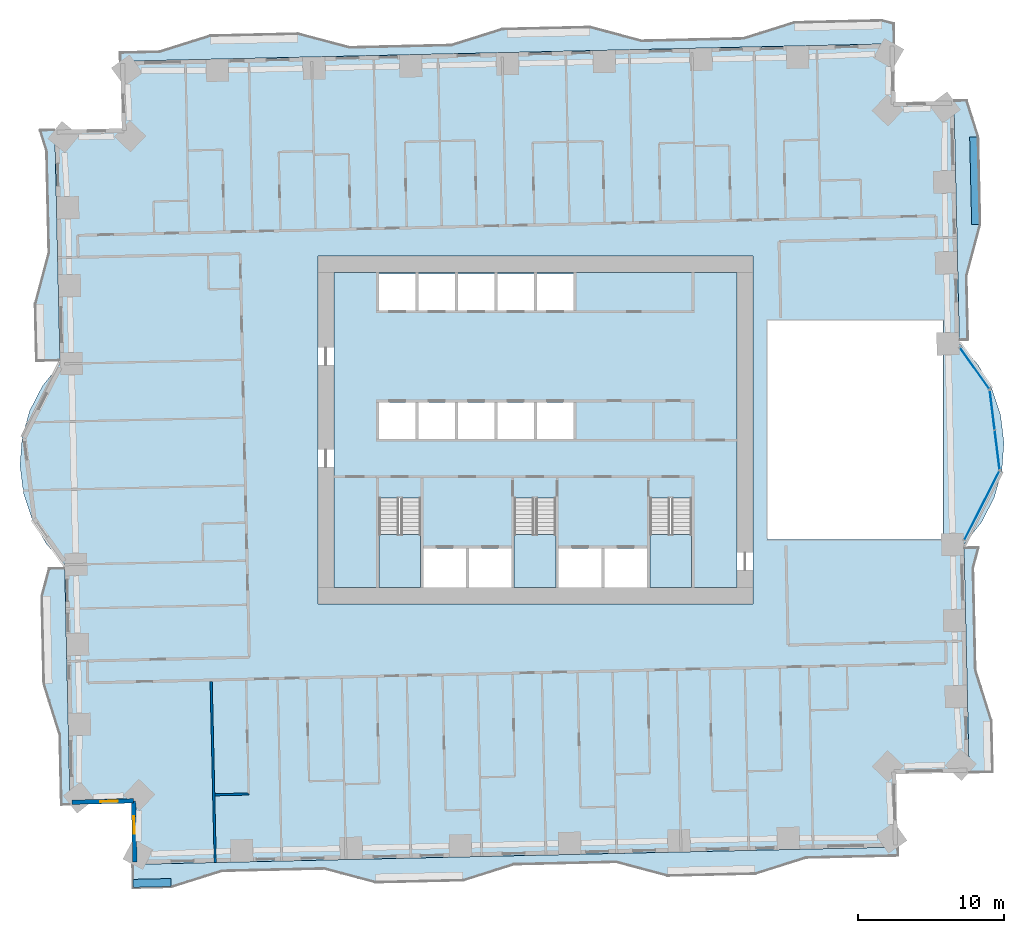
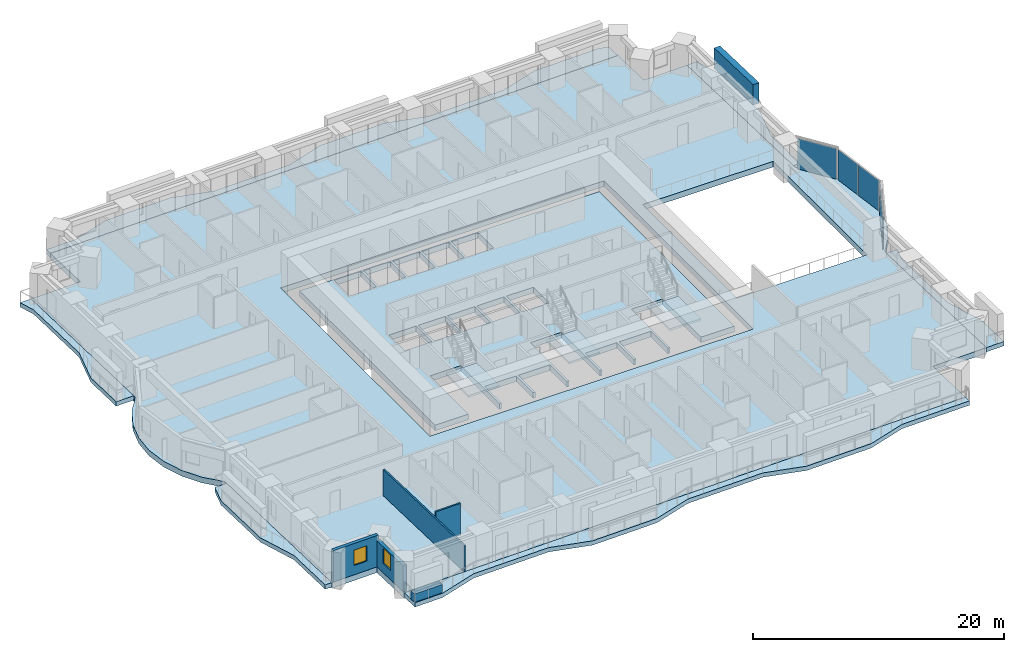
# One storey, part 4 of 16: 11 slabs, 5 walls, 4 plates, 2 windows, 1 member, 2 openings, 6 elements without a shape of their own.
"""IFC4 building model written with IfcOpenShell, lengths in metres."""

from ifc_helpers import new_model, si_unit, direction, frame, frame_2d, origin, origin_2d, place, context, subcontext, project, spatial, polyline, rectangle, outline, extrude, material, layer, layer_set, material_profile, profile_set, type_object, element, fill, aggregate, save


model = new_model("IFC4")

# Units and contexts
model_context = context("Model", 3, precision=1e-05, world=origin(), true_north=direction((0.0, 1.0)))
body_context = subcontext(model_context, "Body", "Model", "MODEL_VIEW")
ifc_project = project(units=[si_unit("LENGTHUNIT", "METRE"), si_unit("AREAUNIT", "SQUARE_METRE"), si_unit("VOLUMEUNIT", "CUBIC_METRE"), si_unit("PLANEANGLEUNIT", "RADIAN"), si_unit("MASSUNIT", "GRAM", prefix="KILO")], contexts=[model_context])

# Site, building, storey
site_placement = place(None, origin())
site = spatial("IfcSite", under=ifc_project, at=site_placement, CompositionType="ELEMENT")
building_placement = place(site_placement, origin())
building = spatial("IfcBuilding", under=site, at=building_placement, Name="Mangrove Gate Tower", CompositionType="ELEMENT")
storey_placement = place(building_placement, frame((0.0, 0.0, 41.300048828125)))
storey = spatial("IfcBuildingStorey", under=building, at=storey_placement, Name="L09", CompositionType="ELEMENT", Elevation=41.300048828125)

# Member
ifc_material_1 = material(Name="Planting on aluminium trellis", Category="aluminium")
ifc_material_profile = material_profile(ifc_material_1, rectangle(XDim=0.550048828125, YDim=2.0, at=origin_2d()))
ifc_profile_set = profile_set([ifc_material_profile], Name="Planting on aluminium trellis")
member_type = type_object("IfcMemberType", Name="Balcony greenery screen 550x2000", PredefinedType="USERDEFINED", material=ifc_profile_set)
member_placement = place(storey_placement, frame((30.15087890625, 14.073974609375, 1.800048828125), z_axis=(-0.022665943652, 0.999743094499, 0.0), x_axis=(-0.999743094499, -0.022665943652, 0.0)))
element("IfcMember", 1, at=member_placement, inside=storey, type_object=member_type, Name="GREEN SCREEN L09 E1.1", ObjectType="PLANTING", PredefinedType="USERDEFINED", context=body_context, shape_type="SweptSolid", body=[
    extrude(rectangle(XDim=0.550048828125, YDim=2.0, at=origin_2d()), origin(), (0.0, 0.0, 1.0), 5.99951171875),
])

# Curtain wall, plate
ifc_material_2 = material(Name="Aluminium and glass curtain wall", Category="aluminium")
curtain_wall_type = type_object("IfcCurtainWallType", Name="Atrium garden-court glazing wall", PredefinedType="NOTDEFINED", material=ifc_material_2)
curtain_wall_1_placement = place(storey_placement, origin())
curtain_wall_1 = element("IfcCurtainWall", 2, at=curtain_wall_1_placement, inside=storey, type_object=curtain_wall_type, Name="Atrium garden-court glazing E1f1", PredefinedType="NOTDEFINED")
ifc_material_3 = material(Name="Laminated low-e glass", Category="glass")
ifc_layer_1 = layer(ifc_material_3, 0.031982421875)
ifc_layer_set_1 = layer_set([ifc_layer_1], Name="Atrium garden-court glazing panel 32")
plate_type = type_object("IfcPlateType", Name="Atrium garden-court glazing panel 32", PredefinedType="CURTAIN_PANEL", material=ifc_layer_set_1)
plate_1_placement = place(storey_placement, frame((30.573974609375, -5.1728515625, 0.0), z_axis=(0.0, 0.0, 1.0), x_axis=(0.452600233136, 0.89171353526, 0.0)))
plate_1 = element("IfcPlate", 3, at=plate_1_placement, type_object=plate_type, Name="CWA panel 1.1", PredefinedType="CURTAIN_PANEL", context=body_context, shape_type="SweptSolid", body=[
    extrude(rectangle(XDim=5.258056640625, YDim=0.031982421875, at=origin_2d()), origin(), (0.0, 0.0, 1.0), 2.97998046875),
])
aggregate(curtain_wall_1, [plate_1])

# Curtain wall, plates
curtain_wall_2_placement = place(storey_placement, origin())
curtain_wall_2 = element("IfcCurtainWall", 4, at=curtain_wall_2_placement, inside=storey, type_object=curtain_wall_type, Name="Atrium garden-court glazing E1f2", PredefinedType="NOTDEFINED")
plate_2_placement = place(storey_placement, frame((31.623291015625, -1.36572265625, 0.0), z_axis=(0.0, 0.0, 1.0), x_axis=(-0.122172285885, 0.992508908051, 0.0)))
plate_2 = element("IfcPlate", 5, at=plate_2_placement, type_object=plate_type, Name="CWA panel 1.1", PredefinedType="CURTAIN_PANEL", context=body_context, shape_type="SweptSolid", body=[
    extrude(rectangle(XDim=2.681640625, YDim=0.031982421875, at=origin_2d()), origin(), (0.0, 0.0, 1.0), 2.97998046875),
])
plate_3_placement = place(storey_placement, frame((31.287109375, 1.365478515625, 0.0), z_axis=(0.0, 0.0, 1.0), x_axis=(-0.122172285885, 0.992508908051, 0.0)))
plate_3 = element("IfcPlate", 6, at=plate_3_placement, type_object=plate_type, Name="CWA panel 2.1", PredefinedType="CURTAIN_PANEL", context=body_context, shape_type="SweptSolid", body=[
    extrude(rectangle(XDim=2.681640625, YDim=0.031982421875, at=origin_2d()), origin(), (0.0, 0.0, 1.0), 2.97998046875),
])
aggregate(curtain_wall_2, [plate_2, plate_3])

# Curtain wall, plate
curtain_wall_3_placement = place(storey_placement, origin())
curtain_wall_3 = element("IfcCurtainWall", 7, at=curtain_wall_3_placement, inside=storey, type_object=curtain_wall_type, Name="Atrium garden-court glazing E1f3", PredefinedType="NOTDEFINED")
plate_4_placement = place(storey_placement, frame((30.0830078125, 4.2216796875, 0.0), z_axis=(0.0, 0.0, 1.0), x_axis=(-0.578122631637, 0.815949889877, 0.0)))
plate_4 = element("IfcPlate", 8, at=plate_4_placement, type_object=plate_type, Name="CWA panel 1.1", PredefinedType="CURTAIN_PANEL", context=body_context, shape_type="SweptSolid", body=[
    extrude(rectangle(XDim=3.4287109375, YDim=0.031982421875, at=origin_2d()), origin(), (0.0, 0.0, 1.0), 2.97998046875),
])
aggregate(curtain_wall_3, [plate_4])

# Slabs
ifc_material_4 = material(Name="Porcelain tile")
ifc_layer_2 = layer(ifc_material_4, 0.02001953125, Name="Tile finish")
ifc_material_5 = material(Name="Cement sand screed")
ifc_layer_3 = layer(ifc_material_5, 0.0400390625, Name="Screed laid to falls")
ifc_material_6 = material(Name="Bituminous waterproofing membrane")
ifc_layer_4 = layer(ifc_material_6, 0.00390625, Name="Waterproofing")
ifc_material_7 = material(Name="Concrete C40/50", Category="concrete")
ifc_layer_5 = layer(ifc_material_7, 0.340087890625, Name="Balcony structural slab")
ifc_material_8 = material(Name="Limestone", Category="masonry")
ifc_layer_6 = layer(ifc_material_8, 0.01611328125, Name="Soffit lining")
ifc_layer_set_2 = layer_set([ifc_layer_2, ifc_layer_3, ifc_layer_4, ifc_layer_5, ifc_layer_6], Name="Balcony slab 420 C40/50")
slab_type_1 = type_object("IfcSlabType", Name="Balcony slab 420 C40/50", PredefinedType="FLOOR", material=ifc_layer_set_2)
slab_1_placement = place(storey_placement, frame((0.0, 0.0, -0.420166015625)))
element("IfcSlab", 9, at=slab_1_placement, inside=storey, type_object=slab_type_1, Name="BALCONY L09 E0", PredefinedType="FLOOR", context=body_context, shape_type="SweptSolid", body=[
    extrude(outline(polyline([(31.346923828125, -23.407958984375), (31.26708984375, -19.908935546875), (30.1708984375, -16.43310546875), (30.011962890625, -9.43505859375), (30.3798828125, -8.051025390625), (29.35400390625, -8.074951171875), (29.385009765625, -9.448974609375), (29.5439453125, -16.447021484375), (29.623046875, -19.946044921875), (29.702880859375, -23.445068359375), (31.346923828125, -23.407958984375)])), origin(), (0.0, 0.0, 1.0), 0.420166015625),
])
slab_2_placement = place(storey_placement, frame((0.0, 0.0, -0.420166015625)))
element("IfcSlab", 10, at=slab_2_placement, inside=storey, type_object=slab_type_1, Name="BALCONY L09 E1", PredefinedType="FLOOR", context=body_context, shape_type="SweptSolid", body=[
    extrude(outline(polyline([(29.656982421875, 6.18603515625), (29.55810546875, 10.56005859375), (30.49609375, 14.08203125), (30.360107421875, 20.0810546875), (29.575927734375, 22.56396484375), (28.658935546875, 22.54296875), (28.716064453125, 20.04296875), (28.85205078125, 14.044921875), (28.930908203125, 10.5458984375), (29.030029296875, 6.172119140625), (29.656982421875, 6.18603515625)])), origin(), (0.0, 0.0, 1.0), 0.420166015625),
])
slab_3_placement = place(storey_placement, frame((0.0, 0.0, -0.420166015625)))
element("IfcSlab", 11, at=slab_3_placement, inside=storey, type_object=slab_type_1, Name="BALCONY L09 N0", PredefinedType="FLOOR", context=body_context, shape_type="SweptSolid", body=[
    extrude(outline(polyline([(24.537109375, 27.863037109375), (23.73193359375, 28.076904296875), (17.73388671875, 27.94091796875), (14.258056640625, 26.843994140625), (7.259033203125, 26.68505859375), (3.737060546875, 27.623046875), (-2.260986328125, 27.487060546875), (-5.737060546875, 26.389892578125), (-12.735107421875, 26.23291015625), (-16.258056640625, 27.1689453125), (-22.256103515625, 27.032958984375), (-25.73193359375, 25.93701171875), (-28.430908203125, 25.875), (-28.4169921875, 25.2490234375), (-16.219970703125, 25.52490234375), (24.569091796875, 26.450927734375), (24.537109375, 27.863037109375)])), origin(), (0.0, 0.0, 1.0), 0.420166015625),
])
slab_4_placement = place(storey_placement, frame((0.0, 0.0, -0.420166015625)))
element("IfcSlab", 12, at=slab_4_placement, inside=storey, type_object=slab_type_1, Name="BALCONY L09 W0", PredefinedType="FLOOR", context=body_context, shape_type="SweptSolid", body=[
    extrude(outline(polyline([(-33.945068359375, 20.52197265625), (-33.507080078125, 19.131103515625), (-33.347900390625, 12.133056640625), (-34.285888671875, 8.611083984375), (-34.197998046875, 4.737060546875), (-32.553955078125, 4.77490234375), (-32.64208984375, 8.64794921875), (-32.720947265625, 12.14697265625), (-32.8798828125, 19.14599609375), (-32.912109375, 20.544921875), (-33.945068359375, 20.52197265625)])), origin(), (0.0, 0.0, 1.0), 0.420166015625),
])
slab_5_placement = place(storey_placement, frame((0.0, 0.0, -0.420166015625)))
element("IfcSlab", 13, at=slab_5_placement, inside=storey, type_object=slab_type_1, Name="BALCONY L09 W1", PredefinedType="FLOOR", context=body_context, shape_type="SweptSolid", body=[
    extrude(outline(polyline([(-33.330078125, -9.4970703125), (-33.83203125, -11.384033203125), (-33.696044921875, -17.382080078125), (-32.59912109375, -20.85791015625), (-32.489990234375, -25.656982421875), (-31.863037109375, -25.64306640625), (-31.971923828125, -20.843994140625), (-32.052001953125, -17.344970703125), (-32.18798828125, -11.345947265625), (-32.22998046875, -9.471923828125), (-33.330078125, -9.4970703125)])), origin(), (0.0, 0.0, 1.0), 0.420166015625),
])
slab_6_placement = place(storey_placement, frame((0.0, 0.0, -0.420166015625)))
element("IfcSlab", 14, at=slab_6_placement, inside=storey, type_object=slab_type_1, Name="BALCONY L09 S0", PredefinedType="FLOOR", context=body_context, shape_type="SweptSolid", body=[
    extrude(outline(polyline([(-27.531982421875, -31.389892578125), (-24.93310546875, -31.3310546875), (-21.45703125, -30.235107421875), (-14.4580078125, -30.075927734375), (-10.93603515625, -31.013916015625), (-4.93798828125, -30.8779296875), (-1.4619140625, -29.781005859375), (5.535888671875, -29.623046875), (9.05908203125, -30.56005859375), (15.056884765625, -30.424072265625), (18.532958984375, -29.326904296875), (24.8310546875, -29.18408203125), (24.81689453125, -28.55810546875), (-27.569091796875, -29.74609375), (-27.531982421875, -31.389892578125)])), origin(), (0.0, 0.0, 1.0), 0.420166015625),
])
ifc_material_9 = material(Name="Concrete C40/50", Category="concrete")
ifc_layer_7 = layer(ifc_material_9, 0.550048828125)
ifc_layer_set_3 = layer_set([ifc_layer_7], Name="Core floor slab 550 C40/50")
slab_type_2 = type_object("IfcSlabType", Name="Core floor slab 550 C40/50", PredefinedType="FLOOR", material=ifc_layer_set_3)
slab_7_placement = place(storey_placement, frame((0.0, 0.0, -0.550048828125)))
element("IfcSlab", 15, at=slab_7_placement, inside=storey, type_object=slab_type_2, Name="SLAB-L09-CORE-1", PredefinedType="FLOOR", context=body_context, shape_type="SweptSolid", body=[
    extrude(outline(polyline([(-13.800048828125, -10.800048828125), (-13.800048828125, 10.800048828125), (13.800048828125, 10.800048828125), (13.800048828125, -10.800048828125), (10.699951171875, -10.800048828125), (10.699951171875, -4.653076171875), (7.85009765625, -4.653076171875), (7.85009765625, -10.800048828125), (7.64990234375, -10.800048828125), (7.64990234375, -8.10009765625), (4.72509765625, -8.10009765625), (4.72509765625, -10.800048828125), (4.52490234375, -10.800048828125), (4.52490234375, -8.10009765625), (1.60009765625, -8.10009765625), (1.60009765625, -10.800048828125), (1.39990234375, -10.800048828125), (1.39990234375, -4.653076171875), (-1.449951171875, -4.653076171875), (-1.449951171875, -10.800048828125), (-1.64990234375, -10.800048828125), (-1.64990234375, -8.10009765625), (-4.550048828125, -8.10009765625), (-4.550048828125, -10.800048828125), (-4.75, -10.800048828125), (-4.75, -8.10009765625), (-7.64990234375, -8.10009765625), (-7.64990234375, -10.800048828125), (-7.85009765625, -10.800048828125), (-7.85009765625, -4.653076171875), (-10.699951171875, -4.653076171875), (-10.699951171875, -10.800048828125), (-13.800048828125, -10.800048828125)]), holes=[polyline([(-8.199951171875, -0.60009765625), (-8.199951171875, 1.89990234375), (-10.699951171875, 1.89990234375), (-10.699951171875, -0.60009765625), (-8.199951171875, -0.60009765625)]), polyline([(-5.5, -0.60009765625), (-5.5, 1.89990234375), (-8.0, 1.89990234375), (-8.0, -0.60009765625), (-5.5, -0.60009765625)]), polyline([(-2.800048828125, -0.60009765625), (-2.800048828125, 1.89990234375), (-5.300048828125, 1.89990234375), (-5.300048828125, -0.60009765625), (-2.800048828125, -0.60009765625)]), polyline([(-8.199951171875, 8.199951171875), (-8.199951171875, 10.699951171875), (-10.699951171875, 10.699951171875), (-10.699951171875, 8.199951171875), (-8.199951171875, 8.199951171875)]), polyline([(-5.5, 8.199951171875), (-5.5, 10.699951171875), (-8.0, 10.699951171875), (-8.0, 8.199951171875), (-5.5, 8.199951171875)]), polyline([(-2.800048828125, 8.199951171875), (-2.800048828125, 10.699951171875), (-5.300048828125, 10.699951171875), (-5.300048828125, 8.199951171875), (-2.800048828125, 8.199951171875)]), polyline([(-0.10009765625, -0.60009765625), (-0.10009765625, 1.89990234375), (-2.60009765625, 1.89990234375), (-2.60009765625, -0.60009765625), (-0.10009765625, -0.60009765625)]), polyline([(2.60009765625, -0.60009765625), (2.60009765625, 1.89990234375), (0.10009765625, 1.89990234375), (0.10009765625, -0.60009765625), (2.60009765625, -0.60009765625)]), polyline([(-2.60009765625, 8.199951171875), (-0.10009765625, 8.199951171875), (-0.10009765625, 10.699951171875), (-2.60009765625, 10.699951171875), (-2.60009765625, 8.199951171875)]), polyline([(0.10009765625, 8.199951171875), (2.60009765625, 8.199951171875), (2.60009765625, 10.699951171875), (0.10009765625, 10.699951171875), (0.10009765625, 8.199951171875)])]), origin(), (0.0, 0.0, 1.0), 0.550048828125),
])

# Stair, slab
ifc_material_10 = material(Name="Concrete C40/50", Category="concrete")
stair_type = type_object("IfcStairType", Name="Core stair 1350", PredefinedType="HALF_TURN_STAIR", material=ifc_material_10)
stair_1_placement = place(storey_placement, origin())
stair_1 = element("IfcStair", 16, at=stair_1_placement, inside=storey, type_object=stair_type, Name="L09 Stair 1", PredefinedType="HALF_TURN_STAIR")
ifc_material_11 = material(Name="Concrete C40/50", Category="concrete")
ifc_layer_8 = layer(ifc_material_11, 0.199951171875)
ifc_layer_set_4 = layer_set([ifc_layer_8], Name="Core stair landing 200")
slab_type_3 = type_object("IfcSlabType", Name="Core stair landing 200", PredefinedType="LANDING", material=ifc_layer_set_4)
slab_8_placement = place(storey_placement, frame((0.0, 0.0, 1.599853515625)))
slab_8 = element("IfcSlab", 17, at=slab_8_placement, type_object=slab_type_3, Name="ST1 landing 1", PredefinedType="LANDING", context=body_context, shape_type="SweptSolid", body=[
    extrude(outline(polyline([(-10.699951171875, -7.169921875), (-10.699951171875, -10.800048828125), (-7.85009765625, -10.800048828125), (-7.85009765625, -7.169921875), (-10.699951171875, -7.169921875)])), origin(), (0.0, 0.0, 1.0), 0.2001953125),
])
aggregate(stair_1, [slab_8])

stair_2_placement = place(storey_placement, origin())
stair_2 = element("IfcStair", 18, at=stair_2_placement, inside=storey, type_object=stair_type, Name="L09 Stair 2", PredefinedType="HALF_TURN_STAIR")
slab_9_placement = place(storey_placement, frame((0.0, 0.0, 1.599853515625)))
slab_9 = element("IfcSlab", 19, at=slab_9_placement, type_object=slab_type_3, Name="ST2 landing 1", PredefinedType="LANDING", context=body_context, shape_type="SweptSolid", body=[
    extrude(outline(polyline([(-1.449951171875, -7.169921875), (-1.449951171875, -10.800048828125), (1.39990234375, -10.800048828125), (1.39990234375, -7.169921875), (-1.449951171875, -7.169921875)])), origin(), (0.0, 0.0, 1.0), 0.2001953125),
])
aggregate(stair_2, [slab_9])

stair_3_placement = place(storey_placement, origin())
stair_3 = element("IfcStair", 20, at=stair_3_placement, inside=storey, type_object=stair_type, Name="L09 Stair 3", PredefinedType="HALF_TURN_STAIR")
slab_10_placement = place(storey_placement, frame((0.0, 0.0, 1.599853515625)))
slab_10 = element("IfcSlab", 21, at=slab_10_placement, type_object=slab_type_3, Name="ST3 landing 1", PredefinedType="LANDING", context=body_context, shape_type="SweptSolid", body=[
    extrude(outline(polyline([(7.85009765625, -7.169921875), (7.85009765625, -10.800048828125), (10.699951171875, -10.800048828125), (10.699951171875, -7.169921875), (7.85009765625, -7.169921875)])), origin(), (0.0, 0.0, 1.0), 0.2001953125),
])
aggregate(stair_3, [slab_10])

# Slab
ifc_material_12 = material(Name="Concrete C40/50", Category="concrete")
ifc_layer_9 = layer(ifc_material_12, 0.550048828125)
ifc_layer_set_5 = layer_set([ifc_layer_9], Name="Floor slab 550 C40/50")
slab_type_4 = type_object("IfcSlabType", Name="Floor slab 550 C40/50", PredefinedType="FLOOR", material=ifc_layer_set_5)
slab_11_placement = place(storey_placement, frame((0.0, 0.0, -0.550048828125)))
element("IfcSlab", 22, at=slab_11_placement, inside=storey, type_object=slab_type_4, Name="Floor slab L09", PredefinedType="FLOOR", context=body_context, shape_type="SweptSolid", body=[
    extrude(outline(polyline([(-27.5693359375, -29.746337890625), (24.8173828125, -28.5576171875), (24.703857421875, -23.558837890625), (29.70263671875, -23.445556640625), (29.34814453125, -7.82470703125), (30.544677734375, -6.33251953125), (31.42138671875, -4.632568359375), (31.944091796875, -2.79248046875), (32.09130859375, -0.885498046875), (31.857666015625, 1.012939453125), (31.252197265625, 2.827392578125), (30.299072265625, 4.48583984375), (29.0361328125, 5.92236328125), (28.658935546875, 22.542724609375), (24.659912109375, 22.451904296875), (24.569091796875, 26.450927734375), (-28.417236328125, 25.24853515625), (-28.312744140625, 20.649658203125), (-32.91162109375, 20.54541015625), (-32.548095703125, 4.524658203125), (-33.74462890625, 3.032470703125), (-34.62158203125, 1.33251953125), (-35.14404296875, -0.507568359375), (-35.291259765625, -2.41455078125), (-35.0576171875, -4.31298828125), (-34.4521484375, -6.12744140625), (-33.4990234375, -7.785888671875), (-32.236083984375, -9.222412109375), (-31.863525390625, -25.642822265625), (-27.66455078125, -25.547607421875), (-27.5693359375, -29.746337890625)]), holes=[polyline([(15.89990234375, 7.5), (27.922119140625, 7.5), (27.922119140625, -7.5), (15.89990234375, -7.5), (15.89990234375, 7.5)]), polyline([(-14.89990234375, -11.89990234375), (-14.89990234375, 11.89990234375), (14.89990234375, 11.89990234375), (14.89990234375, -11.89990234375), (-14.89990234375, -11.89990234375)])]), origin(), (0.0, 0.0, 1.0), 0.550048828125),
])

# Wall, opening, window
ifc_layer_10 = layer(ifc_material_8, 0.0400390625, Name="Limestone cladding")
ifc_material_13 = material(Name="Ventilated air gap")
ifc_layer_11 = layer(ifc_material_13, 0.0400390625, Name="Ventilated cavity")
ifc_material_14 = material(Name="Mineral wool insulation")
ifc_layer_12 = layer(ifc_material_14, 0.06005859375, Name="Insulation")
ifc_material_15 = material(Name="Breather membrane")
ifc_layer_13 = layer(ifc_material_15, 0.001953125, Name="Breather membrane")
ifc_material_16 = material(Name="Concrete C20/25 blockwork", Category="masonry")
ifc_layer_14 = layer(ifc_material_16, 0.14990234375, Name="Blockwork backing wall")
ifc_material_17 = material(Name="Gypsum plaster")
ifc_layer_15 = layer(ifc_material_17, 0.008056640625, Name="Internal plaster")
ifc_layer_set_6 = layer_set([ifc_layer_10, ifc_layer_11, ifc_layer_12, ifc_layer_13, ifc_layer_14, ifc_layer_15], Name="External wall 300 limestone cladding")
wall_type_1 = type_object("IfcWallType", Name="External wall 300 limestone cladding", PredefinedType="SOLIDWALL", material=ifc_layer_set_6)
wall_1_placement = place(storey_placement, frame((-31.717041015625, -25.489013671875, 0.0), z_axis=(0.0, 0.0, 1.0), x_axis=(0.999744320311, 0.022611811187, 0.0)))
wall_1 = element("IfcWall", 23, at=wall_1_placement, inside=storey, type_object=wall_type_1, Name="WALL-L09-S11", PredefinedType="SOLIDWALL", context=body_context, shape_type="SweptSolid", body=[
    extrude(rectangle(XDim=4.199951171875, YDim=0.300048828125, at=frame_2d((2.10009765625, 0.0))), origin(), (0.0, 0.0, 1.0), 3.050048828125),
])
opening_1_placement = place(wall_1_placement, frame((1.927001953125, 0.0, 0.89990234375)))
opening_1 = element("IfcOpeningElement", 24, at=opening_1_placement, cuts=wall_1, Name="Opening W1", PredefinedType="OPENING", context=body_context, shape_type="SweptSolid", body=[
    extrude(rectangle(XDim=1.199951171875, YDim=1.5, at=frame_2d((0.60009765625, 0.75))), frame((0.0, 0.159912109375, 0.0), z_axis=(0.0, -1.0, 0.0), x_axis=(1.0, 0.0, 0.0)), (0.0, 0.0, 1.0), 0.320068359375),
])
ifc_material_18 = material(Name="Aluminium frame with double-glazed low-e glass", Category="aluminium")
window_type = type_object("IfcWindowType", Name="Side lite 1200x1500", PartitioningType="SINGLE_PANEL", PredefinedType="WINDOW", material=ifc_material_18)
window_1_placement = place(opening_1_placement, origin())
window_1 = element("IfcWindow", 25, at=window_1_placement, inside=storey, type_object=window_type, Name="WIN-L09-S11-1", OverallHeight=1.5, OverallWidth=1.199951171875, PartitioningType="SINGLE_PANEL", PredefinedType="WINDOW", context=body_context, shape_type="SweptSolid", body=[
    extrude(rectangle(XDim=1.199951171875, YDim=1.5, at=frame_2d((0.60009765625, 0.75))), frame((0.0, 0.030029296875, 0.0), z_axis=(0.0, -1.0, 0.0), x_axis=(1.0, 0.0, 0.0)), (0.0, 0.0, 1.0), 0.06005859375),
])
fill(opening_1, window_1)

wall_2_placement = place(storey_placement, frame((-27.51806640625, -25.39404296875, 0.0), z_axis=(0.0, 0.0, 1.0), x_axis=(0.022611811187, -0.999744320311, 0.0)))
wall_2 = element("IfcWall", 26, at=wall_2_placement, inside=storey, type_object=wall_type_1, Name="WALL-L09-W12", PredefinedType="SOLIDWALL", context=body_context, shape_type="SweptSolid", body=[
    extrude(rectangle(XDim=4.199951171875, YDim=0.300048828125, at=frame_2d((2.10009765625, 0.0))), origin(), (0.0, 0.0, 1.0), 2.550048828125),
])
opening_2_placement = place(wall_2_placement, frame((1.05810546875, 0.0, 0.89990234375)))
opening_2 = element("IfcOpeningElement", 27, at=opening_2_placement, cuts=wall_2, Name="Opening W1", PredefinedType="OPENING", context=body_context, shape_type="SweptSolid", body=[
    extrude(rectangle(XDim=1.199951171875, YDim=1.5, at=frame_2d((0.60009765625, 0.75))), frame((0.0, 0.159912109375, 0.0), z_axis=(0.0, -1.0, 0.0), x_axis=(1.0, 0.0, 0.0)), (0.0, 0.0, 1.0), 0.320068359375),
])
window_2_placement = place(opening_2_placement, origin())
window_2 = element("IfcWindow", 28, at=window_2_placement, inside=storey, type_object=window_type, Name="WIN-L09-W12-1", OverallHeight=1.5, OverallWidth=1.199951171875, PartitioningType="SINGLE_PANEL", PredefinedType="WINDOW", context=body_context, shape_type="SweptSolid", body=[
    extrude(rectangle(XDim=1.199951171875, YDim=1.5, at=frame_2d((0.60009765625, 0.75))), frame((0.0, 0.030029296875, 0.0), z_axis=(0.0, -1.0, 0.0), x_axis=(1.0, 0.0, 0.0)), (0.0, 0.0, 1.0), 0.06005859375),
])
fill(opening_2, window_2)

# Walls
ifc_material_19 = material(Name="Gypsum board on steel stud, EI 60", Category="steel")
ifc_layer_16 = layer(ifc_material_19, 0.14990234375)
ifc_layer_set_7 = layer_set([ifc_layer_16], Name="Party wall 150 EI 60")
wall_type_2 = type_object("IfcWallType", Name="Party wall 150 EI 60", PredefinedType="PARTITIONING", material=ifc_layer_set_7)
wall_3_placement = place(storey_placement, frame((-21.9208984375, -29.617919921875, 0.0), z_axis=(0.0, 0.0, 1.0), x_axis=(-0.022661475803, 0.999743195783, 0.0)))
element("IfcWall", 29, at=wall_3_placement, inside=storey, type_object=wall_type_2, Name="WALL-L09-001", PredefinedType="PARTITIONING", context=body_context, shape_type="SweptSolid", body=[
    extrude(rectangle(XDim=12.400146484375, YDim=0.14990234375, at=frame_2d((6.2001953125, 0.0))), origin(), (0.0, 0.0, 1.0), 2.550048828125),
])
wall_4_placement = place(storey_placement, frame((-21.950927734375, -24.97802734375, 0.0), z_axis=(0.0, 0.0, 1.0), x_axis=(0.999740260747, 0.02279059109, 0.0)))
element("IfcWall", 30, at=wall_4_placement, inside=storey, type_object=wall_type_2, Name="WALL-L09-017", PredefinedType="PARTITIONING", context=body_context, shape_type="SweptSolid", body=[
    extrude(rectangle(XDim=2.324462890625, YDim=0.14990234375, at=frame_2d((1.162109375, 0.0))), origin(), (0.0, 0.0, 1.0), 3.050048828125),
])
ifc_material_20 = material(Name="Concrete C32/40", Category="concrete")
ifc_layer_17 = layer(ifc_material_20, 0.199951171875, Name="Planter trough wall")
ifc_layer_18 = layer(ifc_material_6, 0.0048828125, Name="Waterproofing")
ifc_material_21 = material(Name="Drainage board and gravel")
ifc_layer_19 = layer(ifc_material_21, 0.044921875, Name="Drainage layer")
ifc_material_22 = material(Name="Planting soil")
ifc_layer_20 = layer(ifc_material_22, 0.300048828125, Name="Growing medium")
ifc_layer_set_8 = layer_set([ifc_layer_17, ifc_layer_18, ifc_layer_19, ifc_layer_20], Name="Planter wall 550 C32/40")
wall_type_3 = type_object("IfcWallType", Name="Planter wall 550 C32/40", PredefinedType="USERDEFINED", material=ifc_layer_set_8)
wall_5_placement = place(storey_placement, frame((-27.5400390625, -31.0458984375, 0.0), z_axis=(0.0, 0.0, 1.0), x_axis=(0.999743867738, 0.022631812148, 0.0)))
element("IfcWall", 31, at=wall_5_placement, inside=storey, type_object=wall_type_3, Name="PLANTER L09 S0.1", ObjectType="PLANTER", PredefinedType="USERDEFINED", context=body_context, shape_type="SweptSolid", body=[
    extrude(rectangle(XDim=2.599853515625, YDim=0.550048828125, at=frame_2d((1.2998046875, 0.0))), origin(), (0.0, 0.0, 1.0), 0.800048828125),
])

save(model, "model.ifc")
